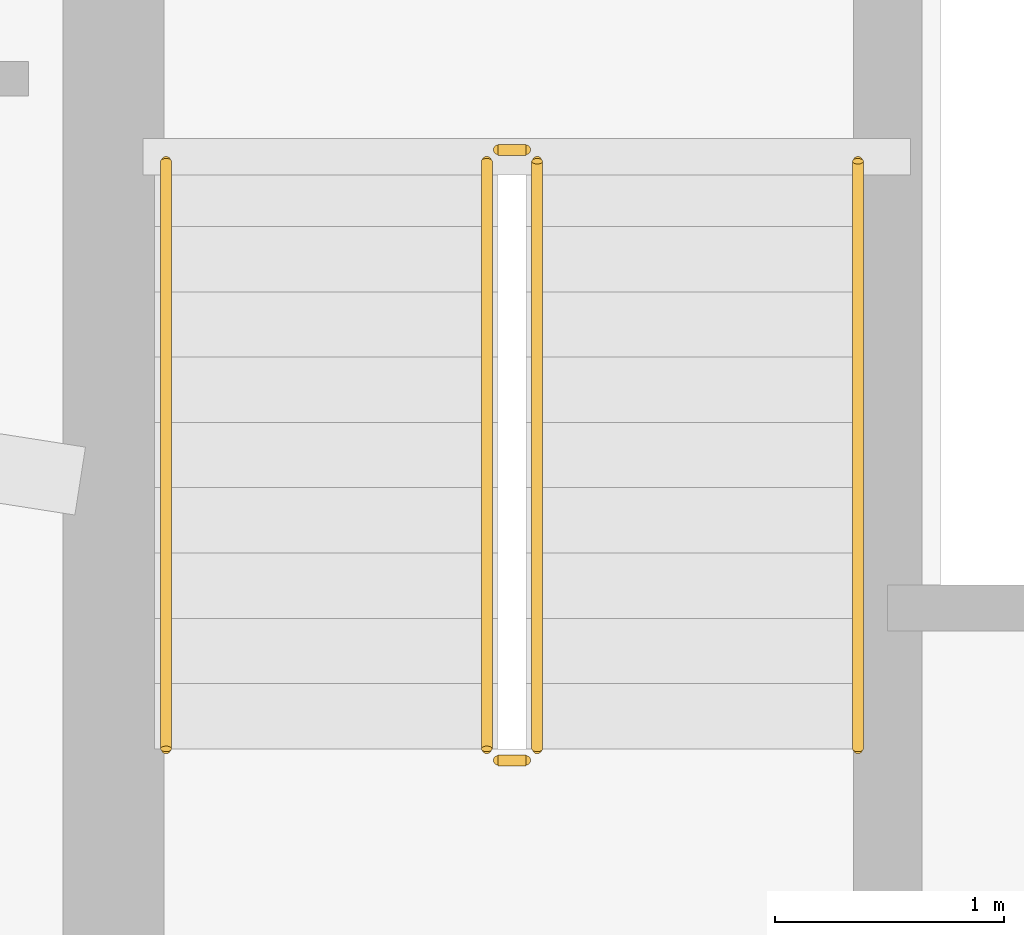
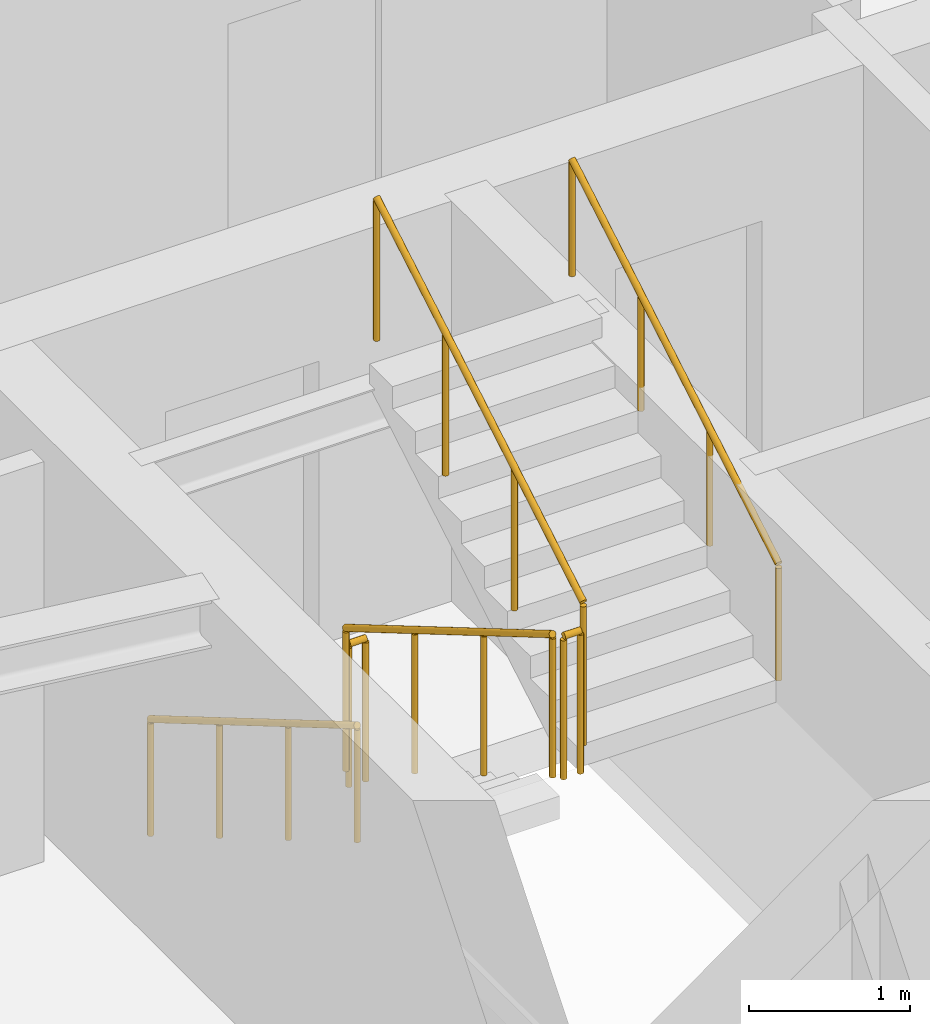
# One storey, part 10 of 11: 6 railings.
"""IFC4 building model written with IfcOpenShell, lengths in metres."""

from ifc_helpers import new_model, si_unit, direction, frame, origin, origin_2d, place, context, subcontext, project, spatial, circle, extrude, material, type_object, element, save


model = new_model("IFC4")

# Units and contexts
model_context = context("Model", 3, precision=1e-05, world=origin(), true_north=direction((0.0, 1.0)))
body_context = subcontext(model_context, "Body", "Model", "MODEL_VIEW")
ifc_project = project(units=[si_unit("LENGTHUNIT", "METRE"), si_unit("AREAUNIT", "SQUARE_METRE"), si_unit("VOLUMEUNIT", "CUBIC_METRE"), si_unit("PLANEANGLEUNIT", "RADIAN"), si_unit("MASSUNIT", "GRAM", prefix="KILO")], contexts=[model_context])

# Site, building, storey
site_placement = place(None, origin())
site = spatial("IfcSite", under=ifc_project, at=site_placement, CompositionType="ELEMENT")
building_placement = place(site_placement, origin())
building = spatial("IfcBuilding", under=site, at=building_placement, Name="Qobustan Lattice House", CompositionType="ELEMENT")
storey_placement = place(building_placement, frame((0.0, 0.0, 258.449951171875)))
storey = spatial("IfcBuildingStorey", under=building, at=storey_placement, Name="L73", CompositionType="ELEMENT", Elevation=258.449951171875)

# Railings
ifc_material_1 = material(Name="Brushed stainless steel handrail", Category="steel")
railing_type_1 = type_object("IfcRailingType", Name="RAL-HR-920", PredefinedType="HANDRAIL", material=ifc_material_1)
railing_1_placement = place(storey_placement, frame((-18.199951171875, 3.5, 0.16748046875)))
element("IfcRailing", 1, at=railing_1_placement, inside=storey, type_object=railing_type_1, Name="L73 ST-W1 stair handrail 1", PredefinedType="HANDRAIL", context=body_context, shape_type="SweptSolid", body=[
    extrude(circle(Radius=0.02392578125, at=origin_2d()), frame((0.0, 0.0, 0.8759765625), z_axis=(0.0, -0.862113467892, 0.50671527358), x_axis=(1.0, 0.0, 0.0)), (0.0, 0.0, 1.0), 2.97509765625),
    extrude(circle(Radius=0.02099609375, at=origin_2d()), origin(), (0.0, 0.0, 1.0), 0.851806640625),
    extrude(circle(Radius=0.02099609375, at=origin_2d()), frame((0.0, -0.85498046875, 0.50244140625)), (0.0, 0.0, 1.0), 0.851806640625),
    extrude(circle(Radius=0.02099609375, at=origin_2d()), frame((0.0, -1.7099609375, 1.005126953125)), (0.0, 0.0, 1.0), 0.851806640625),
    extrude(circle(Radius=0.02099609375, at=origin_2d()), frame((0.0, -2.56494140625, 1.507568359375)), (0.0, 0.0, 1.0), 0.851806640625),
])
railing_2_placement = place(storey_placement, frame((-15.179931640625, 0.93505859375, 1.842529296875)))
element("IfcRailing", 2, at=railing_2_placement, inside=storey, type_object=railing_type_1, Name="L73 ST-W1 stair handrail 2", PredefinedType="HANDRAIL", context=body_context, shape_type="SweptSolid", body=[
    extrude(circle(Radius=0.02392578125, at=origin_2d()), frame((0.0, 0.0, 0.8759765625), z_axis=(0.0, 0.862113467892, 0.50671527358), x_axis=(-1.0, 0.0, 0.0)), (0.0, 0.0, 1.0), 2.97509765625),
    extrude(circle(Radius=0.02099609375, at=origin_2d()), origin(), (0.0, 0.0, 1.0), 0.851806640625),
    extrude(circle(Radius=0.02099609375, at=origin_2d()), frame((0.0, 0.85498046875, 0.50244140625)), (0.0, 0.0, 1.0), 0.851806640625),
    extrude(circle(Radius=0.02099609375, at=origin_2d()), frame((0.0, 1.7099609375, 1.005126953125)), (0.0, 0.0, 1.0), 0.851806640625),
    extrude(circle(Radius=0.02099609375, at=origin_2d()), frame((0.0, 2.56494140625, 1.507568359375)), (0.0, 0.0, 1.0), 0.851806640625),
])
ifc_material_2 = material(Name="Painted galvanized steel guardrail", Category="steel")
railing_type_2 = type_object("IfcRailingType", Name="RAL-STG-1150", PredefinedType="GUARDRAIL", material=ifc_material_2)
railing_3_placement = place(storey_placement, frame((-16.800048828125, 3.5, 0.16748046875)))
element("IfcRailing", 3, at=railing_3_placement, inside=storey, type_object=railing_type_2, Name="L73 ST-W1 stair guard 1", PredefinedType="GUARDRAIL", context=body_context, shape_type="SweptSolid", body=[
    extrude(circle(Radius=0.02392578125, at=origin_2d()), frame((0.0, 0.0, 1.076171875), z_axis=(0.0, -0.862113467892, 0.50671527358), x_axis=(1.0, 0.0, 0.0)), (0.0, 0.0, 1.0), 2.97509765625),
    extrude(circle(Radius=0.02099609375, at=origin_2d()), origin(), (0.0, 0.0, 1.0), 1.052001953125),
    extrude(circle(Radius=0.02099609375, at=origin_2d()), frame((0.0, -0.85498046875, 0.50244140625)), (0.0, 0.0, 1.0), 1.052001953125),
    extrude(circle(Radius=0.02099609375, at=origin_2d()), frame((0.0, -1.7099609375, 1.005126953125)), (0.0, 0.0, 1.0), 1.052001953125),
    extrude(circle(Radius=0.02099609375, at=origin_2d()), frame((0.0, -2.56494140625, 1.507568359375)), (0.0, 0.0, 1.0), 1.052001953125),
])
railing_4_placement = place(storey_placement, frame((-16.75, 0.885009765625, 1.675048828125)))
element("IfcRailing", 4, at=railing_4_placement, inside=storey, type_object=railing_type_2, Name="L73 ST-W1 stair guard 2", PredefinedType="GUARDRAIL", context=body_context, shape_type="SweptSolid", body=[
    extrude(circle(Radius=0.02392578125, at=origin_2d()), frame((0.0, 0.0, 1.076171875), z_axis=(1.0, 0.0, 0.0), x_axis=(0.0, 1.0, 0.0)), (0.0, 0.0, 1.0), 0.1201171875),
    extrude(circle(Radius=0.02099609375, at=origin_2d()), origin(), (0.0, 0.0, 1.0), 1.052001953125),
    extrude(circle(Radius=0.02099609375, at=origin_2d()), frame((0.1201171875, 0.0, 0.0)), (0.0, 0.0, 1.0), 1.052001953125),
])
railing_5_placement = place(storey_placement, frame((-16.580078125, 0.93505859375, 1.842529296875)))
element("IfcRailing", 5, at=railing_5_placement, inside=storey, type_object=railing_type_2, Name="L73 ST-W1 stair guard 3", PredefinedType="GUARDRAIL", context=body_context, shape_type="SweptSolid", body=[
    extrude(circle(Radius=0.02392578125, at=origin_2d()), frame((0.0, 0.0, 1.076171875), z_axis=(0.0, 0.862113467892, 0.50671527358), x_axis=(-1.0, 0.0, 0.0)), (0.0, 0.0, 1.0), 2.97509765625),
    extrude(circle(Radius=0.02099609375, at=origin_2d()), origin(), (0.0, 0.0, 1.0), 1.052001953125),
    extrude(circle(Radius=0.02099609375, at=origin_2d()), frame((0.0, 0.85498046875, 0.50244140625)), (0.0, 0.0, 1.0), 1.052001953125),
    extrude(circle(Radius=0.02099609375, at=origin_2d()), frame((0.0, 1.7099609375, 1.005126953125)), (0.0, 0.0, 1.0), 1.052001953125),
    extrude(circle(Radius=0.02099609375, at=origin_2d()), frame((0.0, 2.56494140625, 1.507568359375)), (0.0, 0.0, 1.0), 1.052001953125),
])
railing_6_placement = place(storey_placement, frame((-16.75, 3.550048828125, 0.0)))
element("IfcRailing", 6, at=railing_6_placement, inside=storey, type_object=railing_type_2, Name="L73 ST-W1 stair guard 4", PredefinedType="GUARDRAIL", context=body_context, shape_type="SweptSolid", body=[
    extrude(circle(Radius=0.02392578125, at=origin_2d()), frame((0.0, 0.0, 1.076171875), z_axis=(1.0, 0.0, 0.0), x_axis=(0.0, 1.0, 0.0)), (0.0, 0.0, 1.0), 0.1201171875),
    extrude(circle(Radius=0.02099609375, at=origin_2d()), origin(), (0.0, 0.0, 1.0), 1.052001953125),
    extrude(circle(Radius=0.02099609375, at=origin_2d()), frame((0.1201171875, 0.0, 0.0)), (0.0, 0.0, 1.0), 1.052001953125),
])

save(model, "model.ifc")
